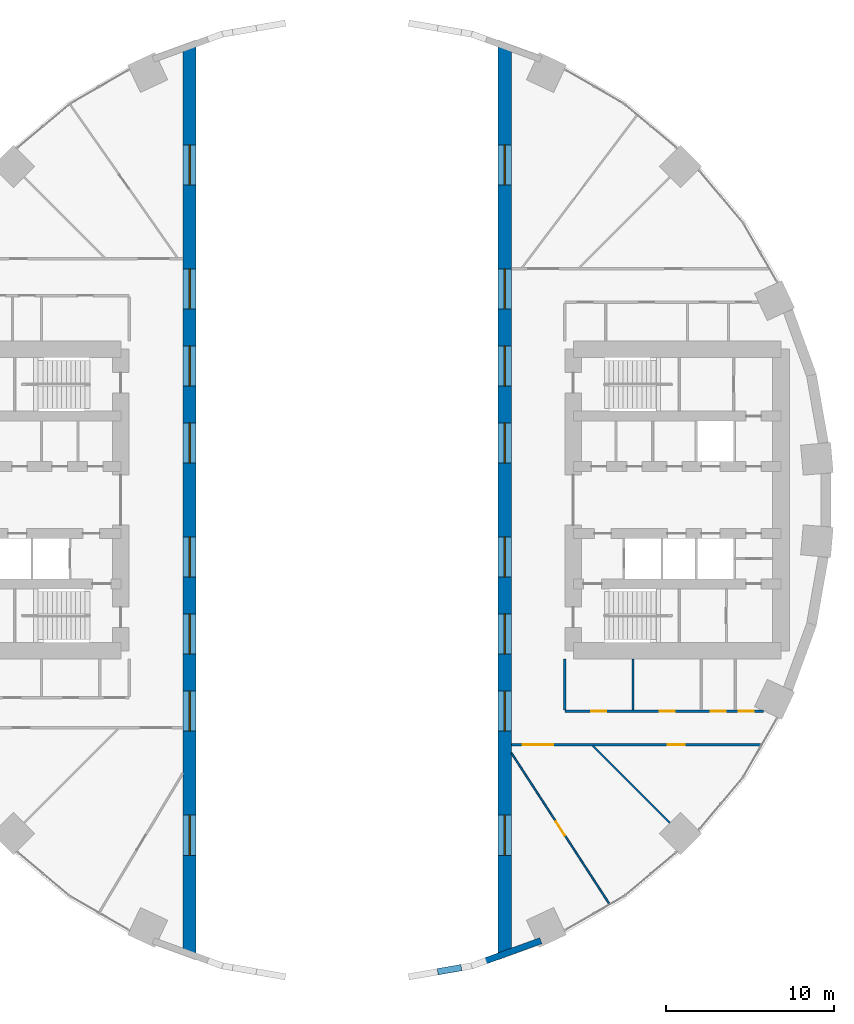
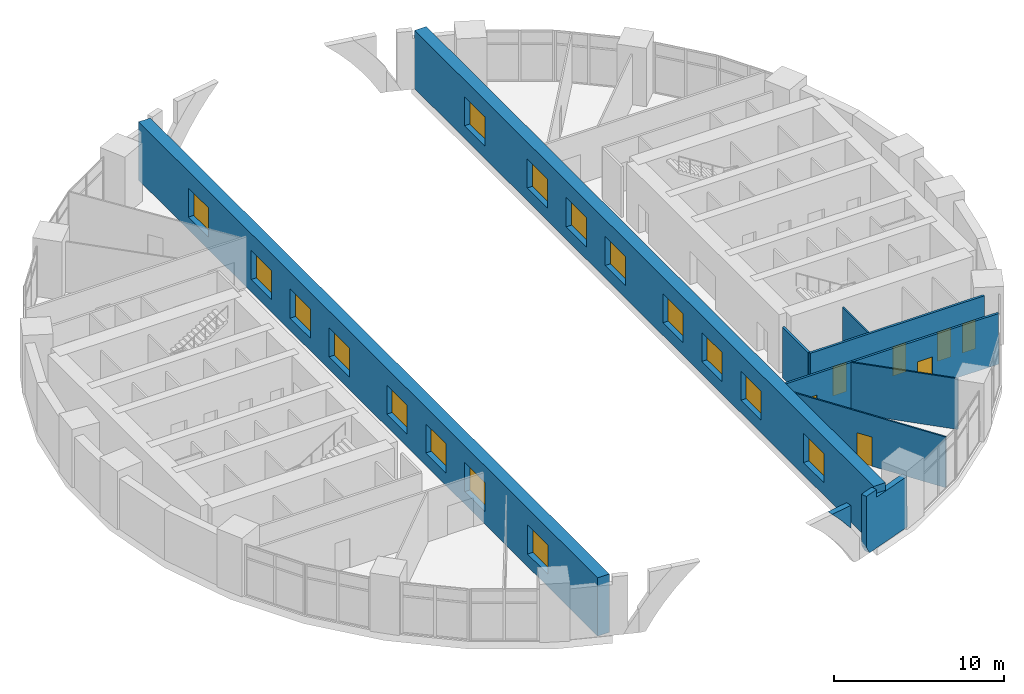
# One storey, part 9 of 13: 16 windows, 10 walls, 7 doors, 23 openings.
"""IFC4 building model written with IfcOpenShell, lengths in metres."""

from ifc_helpers import new_model, si_unit, direction, frame, frame_2d, origin, place, context, subcontext, project, spatial, polyline, rectangle, outline, extrude, material, layer, layer_set, type_object, element, fill, save


model = new_model("IFC4")

# Units and contexts
model_context = context("Model", 3, precision=1e-05, world=origin(), true_north=direction((0.0, 1.0)))
body_context = subcontext(model_context, "Body", "Model", "MODEL_VIEW")
ifc_project = project(units=[si_unit("LENGTHUNIT", "METRE"), si_unit("AREAUNIT", "SQUARE_METRE"), si_unit("VOLUMEUNIT", "CUBIC_METRE"), si_unit("PLANEANGLEUNIT", "RADIAN"), si_unit("MASSUNIT", "GRAM", prefix="KILO")], contexts=[model_context])

# Site, building, storey
site_placement = place(None, origin())
site = spatial("IfcSite", under=ifc_project, at=site_placement, CompositionType="ELEMENT")
building_placement = place(site_placement, origin())
building = spatial("IfcBuilding", under=site, at=building_placement, Name="Saqina Gate Tower", CompositionType="ELEMENT")
storey_placement = place(building_placement, frame((0.0, 0.0, 13.39990234375)))
storey = spatial("IfcBuildingStorey", under=building, at=storey_placement, Name="L03", CompositionType="ELEMENT", Elevation=13.39990234375)

# Walls
ifc_material_1 = material(Name="Glazed ceramic tile", Category="ceramic")
ifc_layer_1 = layer(ifc_material_1, 0.3798828125)
ifc_layer_set_1 = layer_set([ifc_layer_1], Name="FW-ARCH")
wall_type_1 = type_object("IfcWallType", Name="FW-ARCH", PredefinedType="SOLIDWALL", material=ifc_layer_set_1)
wall_1_placement = place(storey_placement, frame((6.854736328125, -28.0908203125, 4.2001953125), z_axis=(0.173576941619, -0.984818077273, 0.002097621194), x_axis=(0.000415212792, -0.002056770948, -0.999997798643)))
element("IfcWall", 1, at=wall_1_placement, inside=storey, type_object=wall_type_1, Name="Arch frame wall L03 facet 28", PredefinedType="SOLIDWALL", context=body_context, shape_type="SweptSolid", body=[
    extrude(outline(polyline([(0.0, 0.0), (0.5500502293484046, 4.743384504624082e-20), (1.637454799980469, -0.00019739842247555665), (0.7272579521875524, -0.7450175946909595), (-7.413699407938026e-05, -1.4326541685067107), (0.0, 0.0)])), origin(), (0.0, 0.0, -1.0), 0.3798828125),
])
wall_2_placement = place(storey_placement, frame((11.63134765625, -26.481689453125, 0.0), z_axis=(0.342026905008, -0.939688050207, 0.001991117406), x_axis=(-0.93968991291, -0.342027583063, -3.2668e-08)))
element("IfcWall", 2, at=wall_2_placement, inside=storey, type_object=wall_type_1, Name="Arch frame wall L03 facet 29", PredefinedType="SOLIDWALL", context=body_context, shape_type="SweptSolid", body=[
    extrude(outline(polyline([(0.0, 0.0), (2.810119309704452, 2.168404344971009e-19), (3.4669067794928967, -8.51417831381103e-08), (3.7453027398539205, -0.5229503546293558), (3.7453633181678647, -3.65015388074659), (3.745258705369742, -4.200203611963998), (2.809887160479554, -4.200203889688386), (2.8100752761055734, -3.650153701678554), (-4.4033598879278454e-05, -3.650153701678554), (0.0, 0.0)])), origin(), (0.0, 0.0, -1.0), 0.3798828125),
])

# Wall, opening, door
ifc_material_2 = material(Name="Gypsum board on steel studs, 100 mm", Category="steel")
ifc_layer_2 = layer(ifc_material_2, 0.10009765625)
ifc_layer_set_2 = layer_set([ifc_layer_2], Name="SPECIAL PARTITION 100")
wall_type_2 = type_object("IfcWallType", Name="SPECIAL PARTITION 100", PredefinedType="PARTITIONING", material=ifc_layer_set_2)
wall_3_placement = place(storey_placement, frame((9.800048828125, -15.091064453125, 0.0), z_axis=(0.0, 0.0, 1.0), x_axis=(0.544662159115, -0.838655550526, 0.0)))
wall_3 = element("IfcWall", 3, at=wall_3_placement, inside=storey, type_object=wall_type_2, Name="PARTITION 001", PredefinedType="PARTITIONING", context=body_context, shape_type="SweptSolid", body=[
    extrude(rectangle(XDim=10.73486328125, YDim=0.10009765625, at=frame_2d((5.367431640625, 0.0))), origin(), (0.0, 0.0, 1.0), 3.650146484375),
])
opening_1_placement = place(wall_3_placement, frame((4.867431640625, 0.0, 0.0)))
opening_1 = element("IfcOpeningElement", 4, at=opening_1_placement, cuts=wall_3, Name="Opening L03-D22", PredefinedType="OPENING", context=body_context, shape_type="SweptSolid", body=[
    extrude(rectangle(XDim=1.0, YDim=2.10009765625, at=frame_2d((0.5, 1.050048828125))), frame((0.0, 0.06201171875, 0.0), z_axis=(0.0, -1.0, 0.0), x_axis=(1.0, 0.0, 0.0)), (0.0, 0.0, 1.0), 0.1240234375),
])
ifc_material_3 = material(Name="Timber door leaf", Category="wood")
door_type_1 = type_object("IfcDoorType", Name="SPECIAL DOOR 1000 TIMBER", OperationType="SINGLE_SWING_LEFT", PredefinedType="DOOR", material=ifc_material_3)
door_1_placement = place(opening_1_placement, origin())
door_1 = element("IfcDoor", 5, at=door_1_placement, inside=storey, type_object=door_type_1, Name="DOOR L03-D22", OperationType="SINGLE_SWING_LEFT", OverallHeight=2.10009765625, OverallWidth=1.0, PredefinedType="DOOR", context=body_context, shape_type="SweptSolid", body=[
    extrude(rectangle(XDim=1.0, YDim=2.10009765625, at=frame_2d((0.5, 1.050048828125))), frame((0.0, 0.02490234375, 0.0), z_axis=(0.0, -1.0, 0.0), x_axis=(1.0, 0.0, 0.0)), (0.0, 0.0, 1.0), 0.050048828125),
])
fill(opening_1, door_1)

# Walls
wall_4_placement = place(storey_placement, frame((14.653076171875, -14.653076171875, 0.0), z_axis=(0.0, 0.0, 1.0), x_axis=(0.707200424069, -0.707013125901, 0.0)))
element("IfcWall", 6, at=wall_4_placement, inside=storey, type_object=wall_type_2, Name="PARTITION 004", PredefinedType="PARTITIONING", context=body_context, shape_type="SweptSolid", body=[
    extrude(rectangle(XDim=6.517333984375, YDim=0.10009765625, at=frame_2d((3.2587890625, 0.0))), origin(), (0.0, 0.0, 1.0), 3.650146484375),
])
wall_5_placement = place(storey_placement, frame((17.06689453125, -12.52490234375, 0.0), z_axis=(0.0, 0.0, 1.0), x_axis=(0.0, 1.0, 0.0)))
element("IfcWall", 7, at=wall_5_placement, inside=storey, type_object=wall_type_2, Name="PARTITION 021", PredefinedType="PARTITIONING", context=body_context, shape_type="SweptSolid", body=[
    extrude(rectangle(XDim=3.02490234375, YDim=0.10009765625, at=frame_2d((1.512451171875, 0.0))), origin(), (0.0, 0.0, 1.0), 3.650146484375),
])

# Wall, openings, doors
ifc_material_4 = material(Name="Gypsum board on steel studs, 150 mm, fire rated", Category="steel")
ifc_layer_3 = layer(ifc_material_4, 0.14990234375)
ifc_layer_set_3 = layer_set([ifc_layer_3], Name="SPECIAL PARTITION EI 30 150")
wall_type_3 = type_object("IfcWallType", Name="SPECIAL PARTITION EI 30 150", PredefinedType="PARTITIONING", material=ifc_layer_set_3)
wall_6_placement = place(storey_placement, frame((9.800048828125, -14.60009765625, 0.0), z_axis=(0.0, 0.0, 1.0), x_axis=(1.0, 0.0, 0.0)))
wall_6 = element("IfcWall", 8, at=wall_6_placement, inside=storey, type_object=wall_type_3, Name="PARTITION 005", PredefinedType="PARTITIONING", context=body_context, shape_type="SweptSolid", body=[
    extrude(rectangle(XDim=14.89794921875, YDim=0.14990234375, at=frame_2d((7.448974609375, 0.0))), origin(), (0.0, 0.0, 1.0), 3.650146484375),
])
opening_2_placement = place(wall_6_placement, frame((0.699951171875, 0.0, 0.0)))
opening_2 = element("IfcOpeningElement", 9, at=opening_2_placement, cuts=wall_6, Name="Opening L03-D23", PredefinedType="OPENING", context=body_context, shape_type="SweptSolid", body=[
    extrude(rectangle(XDim=1.800048828125, YDim=2.10009765625, at=frame_2d((0.89990234375, 1.050048828125))), frame((0.0, 0.0869140625, 0.0), z_axis=(0.0, -1.0, 0.0), x_axis=(1.0, 0.0, 0.0)), (0.0, 0.0, 1.0), 0.173828125),
])
opening_3_placement = place(wall_6_placement, frame((9.35009765625, 0.0, 0.0)))
opening_3 = element("IfcOpeningElement", 10, at=opening_3_placement, cuts=wall_6, Name="Opening L03-D25", PredefinedType="OPENING", context=body_context, shape_type="SweptSolid", body=[
    extrude(rectangle(XDim=1.0, YDim=2.10009765625, at=frame_2d((0.5, 1.050048828125))), frame((0.0, 0.0869140625, 0.0), z_axis=(0.0, -1.0, 0.0), x_axis=(1.0, 0.0, 0.0)), (0.0, 0.0, 1.0), 0.173828125),
])
ifc_material_5 = material(Name="Steel-framed fire door leaf, EI 30", Category="steel")
door_type_2 = type_object("IfcDoorType", Name="SPECIAL DOOR 1000 FIRE EI 30", OperationType="SINGLE_SWING_LEFT", PredefinedType="DOOR", material=ifc_material_5)
door_2_placement = place(opening_3_placement, frame((1.0, 0.0, 0.0), z_axis=(0.0, 0.0, 1.0), x_axis=(-1.0, 0.0, 0.0)))
door_2 = element("IfcDoor", 11, at=door_2_placement, inside=storey, type_object=door_type_2, Name="DOOR L03-D25", OperationType="SINGLE_SWING_LEFT", OverallHeight=2.10009765625, OverallWidth=1.0, PredefinedType="DOOR", context=body_context, shape_type="SweptSolid", body=[
    extrude(rectangle(XDim=1.0, YDim=2.10009765625, at=frame_2d((0.5, 1.050048828125))), frame((0.0, 0.02490234375, 0.0), z_axis=(0.0, -1.0, 0.0), x_axis=(1.0, 0.0, 0.0)), (0.0, 0.0, 1.0), 0.050048828125),
])
fill(opening_3, door_2)
ifc_material_6 = material(Name="Steel-framed fire door leaf, EI 30", Category="steel")
door_type_3 = type_object("IfcDoorType", Name="SPECIAL DOUBLE DOOR 1800 FIRE EI 30", OperationType="DOUBLE_DOOR_SINGLE_SWING", PredefinedType="DOOR", material=ifc_material_6)
door_3_placement = place(opening_2_placement, origin())
door_3 = element("IfcDoor", 12, at=door_3_placement, inside=storey, type_object=door_type_3, Name="DOOR L03-D23", OperationType="DOUBLE_DOOR_SINGLE_SWING", OverallHeight=2.10009765625, OverallWidth=1.800048828125, PredefinedType="DOOR", context=body_context, shape_type="SweptSolid", body=[
    extrude(rectangle(XDim=1.800048828125, YDim=2.10009765625, at=frame_2d((0.89990234375, 1.050048828125))), frame((0.0, 0.02490234375, 0.0), z_axis=(0.0, -1.0, 0.0), x_axis=(1.0, 0.0, 0.0)), (0.0, 0.0, 1.0), 0.050048828125),
])
fill(opening_2, door_3)

wall_7_placement = place(storey_placement, frame((13.0, -12.60009765625, 0.0), z_axis=(0.0, 0.0, 1.0), x_axis=(1.0, 0.0, 0.0)))
wall_7 = element("IfcWall", 13, at=wall_7_placement, inside=storey, type_object=wall_type_3, Name="PARTITION 007", PredefinedType="PARTITIONING", context=body_context, shape_type="SweptSolid", body=[
    extrude(rectangle(XDim=11.867431640625, YDim=0.14990234375, at=frame_2d((5.93359375, 0.0))), origin(), (0.0, 0.0, 1.0), 3.650146484375),
])
opening_4_placement = place(wall_7_placement, frame((1.58349609375, 0.0, 0.0)))
opening_4 = element("IfcOpeningElement", 14, at=opening_4_placement, cuts=wall_7, Name="Opening L03-D24", PredefinedType="OPENING", context=body_context, shape_type="SweptSolid", body=[
    extrude(rectangle(XDim=0.89990234375, YDim=2.10009765625, at=frame_2d((0.449951171875, 1.050048828125))), frame((0.0, 0.0869140625, 0.0), z_axis=(0.0, -1.0, 0.0), x_axis=(1.0, 0.0, 0.0)), (0.0, 0.0, 1.0), 0.173828125),
])
opening_5_placement = place(wall_7_placement, frame((5.64990234375, 0.0, 0.0)))
opening_5 = element("IfcOpeningElement", 15, at=opening_5_placement, cuts=wall_7, Name="Opening L03-D26", PredefinedType="OPENING", context=body_context, shape_type="SweptSolid", body=[
    extrude(rectangle(XDim=0.89990234375, YDim=2.10009765625, at=frame_2d((0.449951171875, 1.050048828125))), frame((0.0, 0.0869140625, 0.0), z_axis=(0.0, -1.0, 0.0), x_axis=(1.0, 0.0, 0.0)), (0.0, 0.0, 1.0), 0.173828125),
])
opening_6_placement = place(wall_7_placement, frame((8.699951171875, 0.0, 0.0)))
opening_6 = element("IfcOpeningElement", 16, at=opening_6_placement, cuts=wall_7, Name="Opening L03-D27", PredefinedType="OPENING", context=body_context, shape_type="SweptSolid", body=[
    extrude(rectangle(XDim=0.89990234375, YDim=2.10009765625, at=frame_2d((0.449951171875, 1.050048828125))), frame((0.0, 0.0869140625, 0.0), z_axis=(0.0, -1.0, 0.0), x_axis=(1.0, 0.0, 0.0)), (0.0, 0.0, 1.0), 0.173828125),
])
opening_7_placement = place(wall_7_placement, frame((10.37939453125, 0.0, 0.0)))
opening_7 = element("IfcOpeningElement", 17, at=opening_7_placement, cuts=wall_7, Name="Opening L03-D28", PredefinedType="OPENING", context=body_context, shape_type="SweptSolid", body=[
    extrude(rectangle(XDim=0.89990234375, YDim=2.10009765625, at=frame_2d((0.449951171875, 1.050048828125))), frame((0.0, 0.0869140625, 0.0), z_axis=(0.0, -1.0, 0.0), x_axis=(1.0, 0.0, 0.0)), (0.0, 0.0, 1.0), 0.173828125),
])
ifc_material_7 = material(Name="Steel-framed fire door leaf, EI 30", Category="steel")
door_type_4 = type_object("IfcDoorType", Name="SPECIAL DOOR 900 FIRE EI 30", OperationType="SINGLE_SWING_LEFT", PredefinedType="DOOR", material=ifc_material_7)
door_4_placement = place(opening_4_placement, origin())
door_4 = element("IfcDoor", 18, at=door_4_placement, inside=storey, type_object=door_type_4, Name="DOOR L03-D24", OperationType="SINGLE_SWING_LEFT", OverallHeight=2.10009765625, OverallWidth=0.89990234375, PredefinedType="DOOR", context=body_context, shape_type="SweptSolid", body=[
    extrude(rectangle(XDim=0.89990234375, YDim=2.10009765625, at=frame_2d((0.449951171875, 1.050048828125))), frame((0.0, 0.02490234375, 0.0), z_axis=(0.0, -1.0, 0.0), x_axis=(1.0, 0.0, 0.0)), (0.0, 0.0, 1.0), 0.050048828125),
])
fill(opening_4, door_4)
door_5_placement = place(opening_5_placement, origin())
door_5 = element("IfcDoor", 19, at=door_5_placement, inside=storey, type_object=door_type_4, Name="DOOR L03-D26", OperationType="SINGLE_SWING_RIGHT", OverallHeight=2.10009765625, OverallWidth=0.89990234375, PredefinedType="DOOR", context=body_context, shape_type="SweptSolid", body=[
    extrude(rectangle(XDim=0.89990234375, YDim=2.10009765625, at=frame_2d((0.449951171875, 1.050048828125))), frame((0.0, 0.02490234375, 0.0), z_axis=(0.0, -1.0, 0.0), x_axis=(1.0, 0.0, 0.0)), (0.0, 0.0, 1.0), 0.050048828125),
])
fill(opening_5, door_5)
door_6_placement = place(opening_6_placement, origin())
door_6 = element("IfcDoor", 20, at=door_6_placement, inside=storey, type_object=door_type_4, Name="DOOR L03-D27", OperationType="SINGLE_SWING_RIGHT", OverallHeight=2.10009765625, OverallWidth=0.89990234375, PredefinedType="DOOR", context=body_context, shape_type="SweptSolid", body=[
    extrude(rectangle(XDim=0.89990234375, YDim=2.10009765625, at=frame_2d((0.449951171875, 1.050048828125))), frame((0.0, 0.02490234375, 0.0), z_axis=(0.0, -1.0, 0.0), x_axis=(1.0, 0.0, 0.0)), (0.0, 0.0, 1.0), 0.050048828125),
])
fill(opening_6, door_6)
door_7_placement = place(opening_7_placement, origin())
door_7 = element("IfcDoor", 21, at=door_7_placement, inside=storey, type_object=door_type_4, Name="DOOR L03-D28", OperationType="SINGLE_SWING_LEFT", OverallHeight=2.10009765625, OverallWidth=0.89990234375, PredefinedType="DOOR", context=body_context, shape_type="SweptSolid", body=[
    extrude(rectangle(XDim=0.89990234375, YDim=2.10009765625, at=frame_2d((0.449951171875, 1.050048828125))), frame((0.0, 0.02490234375, 0.0), z_axis=(0.0, -1.0, 0.0), x_axis=(1.0, 0.0, 0.0)), (0.0, 0.0, 1.0), 0.050048828125),
])
fill(opening_7, door_7)

# Wall
wall_8_placement = place(storey_placement, frame((13.0, -12.52490234375, 0.0), z_axis=(0.0, 0.0, 1.0), x_axis=(0.0, 1.0, 0.0)))
element("IfcWall", 22, at=wall_8_placement, inside=storey, type_object=wall_type_3, Name="PARTITION 023", PredefinedType="PARTITIONING", context=body_context, shape_type="SweptSolid", body=[
    extrude(rectangle(XDim=3.02490234375, YDim=0.14990234375, at=frame_2d((1.512451171875, 0.0))), origin(), (0.0, 0.0, 1.0), 3.650146484375),
])

# Wall, openings, windows
ifc_material_8 = material(Name="Concrete C70/85", Category="concrete")
ifc_layer_4 = layer(ifc_material_8, 0.800048828125)
ifc_layer_set_4 = layer_set([ifc_layer_4], Name="Concrete C70/85")
wall_type_4 = type_object("IfcWallType", Name="STR-PIER-PASSAGE", PredefinedType="SHEAR", material=ifc_layer_set_4)
wall_9_placement = place(storey_placement, frame((9.39990234375, -27.076904296875, 0.0), z_axis=(0.0, 0.0, 1.0), x_axis=(0.0, 1.0, 0.0)))
wall_9 = element("IfcWall", 23, at=wall_9_placement, inside=storey, type_object=wall_type_4, Name="L03-FLKE", PredefinedType="SHEAR", context=body_context, shape_type="SweptSolid", body=[
    extrude(rectangle(XDim=54.15380859375, YDim=0.800048828125, at=frame_2d((27.076904296875, 0.0))), origin(), (0.0, 0.0, 1.0), 4.2001953125),
])
opening_8_placement = place(wall_9_placement, frame((13.27685546875, 0.0, 0.89990234375)))
opening_8 = element("IfcOpeningElement", 24, at=opening_8_placement, cuts=wall_9, Name="Opening L03-W50", PredefinedType="OPENING", context=body_context, shape_type="SweptSolid", body=[
    extrude(rectangle(XDim=2.39990234375, YDim=2.10009765625, at=frame_2d((1.199951171875, 1.050048828125))), frame((0.0, 0.412109375, 0.0), z_axis=(0.0, -1.0, 0.0), x_axis=(1.0, 0.0, 0.0)), (0.0, 0.0, 1.0), 0.823974609375),
])
opening_9_placement = place(wall_9_placement, frame((17.876708984375, 0.0, 0.89990234375)))
opening_9 = element("IfcOpeningElement", 25, at=opening_9_placement, cuts=wall_9, Name="Opening L03-W51", PredefinedType="OPENING", context=body_context, shape_type="SweptSolid", body=[
    extrude(rectangle(XDim=2.39990234375, YDim=2.10009765625, at=frame_2d((1.199951171875, 1.050048828125))), frame((0.0, 0.412109375, 0.0), z_axis=(0.0, -1.0, 0.0), x_axis=(1.0, 0.0, 0.0)), (0.0, 0.0, 1.0), 0.823974609375),
])
opening_10_placement = place(wall_9_placement, frame((22.476806640625, 0.0, 0.89990234375)))
opening_10 = element("IfcOpeningElement", 26, at=opening_10_placement, cuts=wall_9, Name="Opening L03-W52", PredefinedType="OPENING", context=body_context, shape_type="SweptSolid", body=[
    extrude(rectangle(XDim=2.39990234375, YDim=2.10009765625, at=frame_2d((1.199951171875, 1.050048828125))), frame((0.0, 0.412109375, 0.0), z_axis=(0.0, -1.0, 0.0), x_axis=(1.0, 0.0, 0.0)), (0.0, 0.0, 1.0), 0.823974609375),
])
opening_11_placement = place(wall_9_placement, frame((29.27685546875, 0.0, 0.89990234375)))
opening_11 = element("IfcOpeningElement", 27, at=opening_11_placement, cuts=wall_9, Name="Opening L03-W53", PredefinedType="OPENING", context=body_context, shape_type="SweptSolid", body=[
    extrude(rectangle(XDim=2.39990234375, YDim=2.10009765625, at=frame_2d((1.199951171875, 1.050048828125))), frame((0.0, 0.412109375, 0.0), z_axis=(0.0, -1.0, 0.0), x_axis=(1.0, 0.0, 0.0)), (0.0, 0.0, 1.0), 0.823974609375),
])
opening_12_placement = place(wall_9_placement, frame((33.876708984375, 0.0, 0.89990234375)))
opening_12 = element("IfcOpeningElement", 28, at=opening_12_placement, cuts=wall_9, Name="Opening L03-W54", PredefinedType="OPENING", context=body_context, shape_type="SweptSolid", body=[
    extrude(rectangle(XDim=2.39990234375, YDim=2.10009765625, at=frame_2d((1.199951171875, 1.050048828125))), frame((0.0, 0.412109375, 0.0), z_axis=(0.0, -1.0, 0.0), x_axis=(1.0, 0.0, 0.0)), (0.0, 0.0, 1.0), 0.823974609375),
])
opening_13_placement = place(wall_9_placement, frame((38.476806640625, 0.0, 0.89990234375)))
opening_13 = element("IfcOpeningElement", 29, at=opening_13_placement, cuts=wall_9, Name="Opening L03-W55", PredefinedType="OPENING", context=body_context, shape_type="SweptSolid", body=[
    extrude(rectangle(XDim=2.39990234375, YDim=2.10009765625, at=frame_2d((1.199951171875, 1.050048828125))), frame((0.0, 0.412109375, 0.0), z_axis=(0.0, -1.0, 0.0), x_axis=(1.0, 0.0, 0.0)), (0.0, 0.0, 1.0), 0.823974609375),
])
opening_14_placement = place(wall_9_placement, frame((5.876708984375, 0.0, 0.89990234375)))
opening_14 = element("IfcOpeningElement", 30, at=opening_14_placement, cuts=wall_9, Name="Opening L03-W56", PredefinedType="OPENING", context=body_context, shape_type="SweptSolid", body=[
    extrude(rectangle(XDim=2.39990234375, YDim=2.10009765625, at=frame_2d((1.199951171875, 1.050048828125))), frame((0.0, 0.412109375, 0.0), z_axis=(0.0, -1.0, 0.0), x_axis=(1.0, 0.0, 0.0)), (0.0, 0.0, 1.0), 0.823974609375),
])
opening_15_placement = place(wall_9_placement, frame((45.876708984375, 0.0, 0.89990234375)))
opening_15 = element("IfcOpeningElement", 31, at=opening_15_placement, cuts=wall_9, Name="Opening L03-W57", PredefinedType="OPENING", context=body_context, shape_type="SweptSolid", body=[
    extrude(rectangle(XDim=2.39990234375, YDim=2.10009765625, at=frame_2d((1.199951171875, 1.050048828125))), frame((0.0, 0.412109375, 0.0), z_axis=(0.0, -1.0, 0.0), x_axis=(1.0, 0.0, 0.0)), (0.0, 0.0, 1.0), 0.823974609375),
])
ifc_material_9 = material(Name="Double glazed unit in aluminium frame", Category="aluminium")
window_type = type_object("IfcWindowType", Name="AMENITY WINDOW 2400", PartitioningType="SINGLE_PANEL", PredefinedType="WINDOW", material=ifc_material_9)
window_1_placement = place(opening_8_placement, origin())
window_1 = element("IfcWindow", 32, at=window_1_placement, inside=storey, type_object=window_type, Name="Amenity window", OverallHeight=2.10009765625, OverallWidth=2.39990234375, PartitioningType="SINGLE_PANEL", PredefinedType="WINDOW", context=body_context, shape_type="SweptSolid", body=[
    extrude(rectangle(XDim=2.39990234375, YDim=2.10009765625, at=frame_2d((1.199951171875, 1.050048828125))), frame((0.0, 0.030029296875, 0.0), z_axis=(0.0, -1.0, 0.0), x_axis=(1.0, 0.0, 0.0)), (0.0, 0.0, 1.0), 0.06005859375),
])
fill(opening_8, window_1)
window_2_placement = place(opening_9_placement, origin())
window_2 = element("IfcWindow", 33, at=window_2_placement, inside=storey, type_object=window_type, Name="Amenity window", OverallHeight=2.10009765625, OverallWidth=2.39990234375, PartitioningType="SINGLE_PANEL", PredefinedType="WINDOW", context=body_context, shape_type="SweptSolid", body=[
    extrude(rectangle(XDim=2.39990234375, YDim=2.10009765625, at=frame_2d((1.199951171875, 1.050048828125))), frame((0.0, 0.030029296875, 0.0), z_axis=(0.0, -1.0, 0.0), x_axis=(1.0, 0.0, 0.0)), (0.0, 0.0, 1.0), 0.06005859375),
])
fill(opening_9, window_2)
window_3_placement = place(opening_10_placement, origin())
window_3 = element("IfcWindow", 34, at=window_3_placement, inside=storey, type_object=window_type, Name="Amenity window", OverallHeight=2.10009765625, OverallWidth=2.39990234375, PartitioningType="SINGLE_PANEL", PredefinedType="WINDOW", context=body_context, shape_type="SweptSolid", body=[
    extrude(rectangle(XDim=2.39990234375, YDim=2.10009765625, at=frame_2d((1.199951171875, 1.050048828125))), frame((0.0, 0.030029296875, 0.0), z_axis=(0.0, -1.0, 0.0), x_axis=(1.0, 0.0, 0.0)), (0.0, 0.0, 1.0), 0.06005859375),
])
fill(opening_10, window_3)
window_4_placement = place(opening_11_placement, origin())
window_4 = element("IfcWindow", 35, at=window_4_placement, inside=storey, type_object=window_type, Name="Amenity window", OverallHeight=2.10009765625, OverallWidth=2.39990234375, PartitioningType="SINGLE_PANEL", PredefinedType="WINDOW", context=body_context, shape_type="SweptSolid", body=[
    extrude(rectangle(XDim=2.39990234375, YDim=2.10009765625, at=frame_2d((1.199951171875, 1.050048828125))), frame((0.0, 0.030029296875, 0.0), z_axis=(0.0, -1.0, 0.0), x_axis=(1.0, 0.0, 0.0)), (0.0, 0.0, 1.0), 0.06005859375),
])
fill(opening_11, window_4)
window_5_placement = place(opening_12_placement, origin())
window_5 = element("IfcWindow", 36, at=window_5_placement, inside=storey, type_object=window_type, Name="Amenity window", OverallHeight=2.10009765625, OverallWidth=2.39990234375, PartitioningType="SINGLE_PANEL", PredefinedType="WINDOW", context=body_context, shape_type="SweptSolid", body=[
    extrude(rectangle(XDim=2.39990234375, YDim=2.10009765625, at=frame_2d((1.199951171875, 1.050048828125))), frame((0.0, 0.030029296875, 0.0), z_axis=(0.0, -1.0, 0.0), x_axis=(1.0, 0.0, 0.0)), (0.0, 0.0, 1.0), 0.06005859375),
])
fill(opening_12, window_5)
window_6_placement = place(opening_13_placement, origin())
window_6 = element("IfcWindow", 37, at=window_6_placement, inside=storey, type_object=window_type, Name="Amenity window", OverallHeight=2.10009765625, OverallWidth=2.39990234375, PartitioningType="SINGLE_PANEL", PredefinedType="WINDOW", context=body_context, shape_type="SweptSolid", body=[
    extrude(rectangle(XDim=2.39990234375, YDim=2.10009765625, at=frame_2d((1.199951171875, 1.050048828125))), frame((0.0, 0.030029296875, 0.0), z_axis=(0.0, -1.0, 0.0), x_axis=(1.0, 0.0, 0.0)), (0.0, 0.0, 1.0), 0.06005859375),
])
fill(opening_13, window_6)
window_7_placement = place(opening_14_placement, origin())
window_7 = element("IfcWindow", 38, at=window_7_placement, inside=storey, type_object=window_type, Name="Amenity window", OverallHeight=2.10009765625, OverallWidth=2.39990234375, PartitioningType="SINGLE_PANEL", PredefinedType="WINDOW", context=body_context, shape_type="SweptSolid", body=[
    extrude(rectangle(XDim=2.39990234375, YDim=2.10009765625, at=frame_2d((1.199951171875, 1.050048828125))), frame((0.0, 0.030029296875, 0.0), z_axis=(0.0, -1.0, 0.0), x_axis=(1.0, 0.0, 0.0)), (0.0, 0.0, 1.0), 0.06005859375),
])
fill(opening_14, window_7)
window_8_placement = place(opening_15_placement, origin())
window_8 = element("IfcWindow", 39, at=window_8_placement, inside=storey, type_object=window_type, Name="Amenity window", OverallHeight=2.10009765625, OverallWidth=2.39990234375, PartitioningType="SINGLE_PANEL", PredefinedType="WINDOW", context=body_context, shape_type="SweptSolid", body=[
    extrude(rectangle(XDim=2.39990234375, YDim=2.10009765625, at=frame_2d((1.199951171875, 1.050048828125))), frame((0.0, 0.030029296875, 0.0), z_axis=(0.0, -1.0, 0.0), x_axis=(1.0, 0.0, 0.0)), (0.0, 0.0, 1.0), 0.06005859375),
])
fill(opening_15, window_8)

wall_10_placement = place(storey_placement, frame((-9.39990234375, -27.076904296875, 0.0), z_axis=(0.0, 0.0, 1.0), x_axis=(0.0, 1.0, 0.0)))
wall_10 = element("IfcWall", 40, at=wall_10_placement, inside=storey, type_object=wall_type_4, Name="L03-FLKW", PredefinedType="SHEAR", context=body_context, shape_type="SweptSolid", body=[
    extrude(rectangle(XDim=54.15380859375, YDim=0.800048828125, at=frame_2d((27.076904296875, 0.0))), origin(), (0.0, 0.0, 1.0), 4.2001953125),
])
opening_16_placement = place(wall_10_placement, frame((13.27685546875, 0.0, 0.89990234375)))
opening_16 = element("IfcOpeningElement", 41, at=opening_16_placement, cuts=wall_10, Name="Opening L03-W58", PredefinedType="OPENING", context=body_context, shape_type="SweptSolid", body=[
    extrude(rectangle(XDim=2.39990234375, YDim=2.10009765625, at=frame_2d((1.199951171875, 1.050048828125))), frame((0.0, 0.412109375, 0.0), z_axis=(0.0, -1.0, 0.0), x_axis=(1.0, 0.0, 0.0)), (0.0, 0.0, 1.0), 0.823974609375),
])
opening_17_placement = place(wall_10_placement, frame((17.876708984375, 0.0, 0.89990234375)))
opening_17 = element("IfcOpeningElement", 42, at=opening_17_placement, cuts=wall_10, Name="Opening L03-W59", PredefinedType="OPENING", context=body_context, shape_type="SweptSolid", body=[
    extrude(rectangle(XDim=2.39990234375, YDim=2.10009765625, at=frame_2d((1.199951171875, 1.050048828125))), frame((0.0, 0.412109375, 0.0), z_axis=(0.0, -1.0, 0.0), x_axis=(1.0, 0.0, 0.0)), (0.0, 0.0, 1.0), 0.823974609375),
])
opening_18_placement = place(wall_10_placement, frame((22.476806640625, 0.0, 0.89990234375)))
opening_18 = element("IfcOpeningElement", 43, at=opening_18_placement, cuts=wall_10, Name="Opening L03-W60", PredefinedType="OPENING", context=body_context, shape_type="SweptSolid", body=[
    extrude(rectangle(XDim=2.39990234375, YDim=2.10009765625, at=frame_2d((1.199951171875, 1.050048828125))), frame((0.0, 0.412109375, 0.0), z_axis=(0.0, -1.0, 0.0), x_axis=(1.0, 0.0, 0.0)), (0.0, 0.0, 1.0), 0.823974609375),
])
opening_19_placement = place(wall_10_placement, frame((29.27685546875, 0.0, 0.89990234375)))
opening_19 = element("IfcOpeningElement", 44, at=opening_19_placement, cuts=wall_10, Name="Opening L03-W61", PredefinedType="OPENING", context=body_context, shape_type="SweptSolid", body=[
    extrude(rectangle(XDim=2.39990234375, YDim=2.10009765625, at=frame_2d((1.199951171875, 1.050048828125))), frame((0.0, 0.412109375, 0.0), z_axis=(0.0, -1.0, 0.0), x_axis=(1.0, 0.0, 0.0)), (0.0, 0.0, 1.0), 0.823974609375),
])
opening_20_placement = place(wall_10_placement, frame((33.876708984375, 0.0, 0.89990234375)))
opening_20 = element("IfcOpeningElement", 45, at=opening_20_placement, cuts=wall_10, Name="Opening L03-W62", PredefinedType="OPENING", context=body_context, shape_type="SweptSolid", body=[
    extrude(rectangle(XDim=2.39990234375, YDim=2.10009765625, at=frame_2d((1.199951171875, 1.050048828125))), frame((0.0, 0.412109375, 0.0), z_axis=(0.0, -1.0, 0.0), x_axis=(1.0, 0.0, 0.0)), (0.0, 0.0, 1.0), 0.823974609375),
])
opening_21_placement = place(wall_10_placement, frame((38.476806640625, 0.0, 0.89990234375)))
opening_21 = element("IfcOpeningElement", 46, at=opening_21_placement, cuts=wall_10, Name="Opening L03-W63", PredefinedType="OPENING", context=body_context, shape_type="SweptSolid", body=[
    extrude(rectangle(XDim=2.39990234375, YDim=2.10009765625, at=frame_2d((1.199951171875, 1.050048828125))), frame((0.0, 0.412109375, 0.0), z_axis=(0.0, -1.0, 0.0), x_axis=(1.0, 0.0, 0.0)), (0.0, 0.0, 1.0), 0.823974609375),
])
opening_22_placement = place(wall_10_placement, frame((5.876708984375, 0.0, 0.89990234375)))
opening_22 = element("IfcOpeningElement", 47, at=opening_22_placement, cuts=wall_10, Name="Opening L03-W64", PredefinedType="OPENING", context=body_context, shape_type="SweptSolid", body=[
    extrude(rectangle(XDim=2.39990234375, YDim=2.10009765625, at=frame_2d((1.199951171875, 1.050048828125))), frame((0.0, 0.412109375, 0.0), z_axis=(0.0, -1.0, 0.0), x_axis=(1.0, 0.0, 0.0)), (0.0, 0.0, 1.0), 0.823974609375),
])
opening_23_placement = place(wall_10_placement, frame((45.876708984375, 0.0, 0.89990234375)))
opening_23 = element("IfcOpeningElement", 48, at=opening_23_placement, cuts=wall_10, Name="Opening L03-W65", PredefinedType="OPENING", context=body_context, shape_type="SweptSolid", body=[
    extrude(rectangle(XDim=2.39990234375, YDim=2.10009765625, at=frame_2d((1.199951171875, 1.050048828125))), frame((0.0, 0.412109375, 0.0), z_axis=(0.0, -1.0, 0.0), x_axis=(1.0, 0.0, 0.0)), (0.0, 0.0, 1.0), 0.823974609375),
])
window_9_placement = place(opening_16_placement, origin())
window_9 = element("IfcWindow", 49, at=window_9_placement, inside=storey, type_object=window_type, Name="Amenity window", OverallHeight=2.10009765625, OverallWidth=2.39990234375, PartitioningType="SINGLE_PANEL", PredefinedType="WINDOW", context=body_context, shape_type="SweptSolid", body=[
    extrude(rectangle(XDim=2.39990234375, YDim=2.10009765625, at=frame_2d((1.199951171875, 1.050048828125))), frame((0.0, 0.030029296875, 0.0), z_axis=(0.0, -1.0, 0.0), x_axis=(1.0, 0.0, 0.0)), (0.0, 0.0, 1.0), 0.06005859375),
])
fill(opening_16, window_9)
window_10_placement = place(opening_17_placement, origin())
window_10 = element("IfcWindow", 50, at=window_10_placement, inside=storey, type_object=window_type, Name="Amenity window", OverallHeight=2.10009765625, OverallWidth=2.39990234375, PartitioningType="SINGLE_PANEL", PredefinedType="WINDOW", context=body_context, shape_type="SweptSolid", body=[
    extrude(rectangle(XDim=2.39990234375, YDim=2.10009765625, at=frame_2d((1.199951171875, 1.050048828125))), frame((0.0, 0.030029296875, 0.0), z_axis=(0.0, -1.0, 0.0), x_axis=(1.0, 0.0, 0.0)), (0.0, 0.0, 1.0), 0.06005859375),
])
fill(opening_17, window_10)
window_11_placement = place(opening_18_placement, origin())
window_11 = element("IfcWindow", 51, at=window_11_placement, inside=storey, type_object=window_type, Name="Amenity window", OverallHeight=2.10009765625, OverallWidth=2.39990234375, PartitioningType="SINGLE_PANEL", PredefinedType="WINDOW", context=body_context, shape_type="SweptSolid", body=[
    extrude(rectangle(XDim=2.39990234375, YDim=2.10009765625, at=frame_2d((1.199951171875, 1.050048828125))), frame((0.0, 0.030029296875, 0.0), z_axis=(0.0, -1.0, 0.0), x_axis=(1.0, 0.0, 0.0)), (0.0, 0.0, 1.0), 0.06005859375),
])
fill(opening_18, window_11)
window_12_placement = place(opening_19_placement, origin())
window_12 = element("IfcWindow", 52, at=window_12_placement, inside=storey, type_object=window_type, Name="Amenity window", OverallHeight=2.10009765625, OverallWidth=2.39990234375, PartitioningType="SINGLE_PANEL", PredefinedType="WINDOW", context=body_context, shape_type="SweptSolid", body=[
    extrude(rectangle(XDim=2.39990234375, YDim=2.10009765625, at=frame_2d((1.199951171875, 1.050048828125))), frame((0.0, 0.030029296875, 0.0), z_axis=(0.0, -1.0, 0.0), x_axis=(1.0, 0.0, 0.0)), (0.0, 0.0, 1.0), 0.06005859375),
])
fill(opening_19, window_12)
window_13_placement = place(opening_20_placement, origin())
window_13 = element("IfcWindow", 53, at=window_13_placement, inside=storey, type_object=window_type, Name="Amenity window", OverallHeight=2.10009765625, OverallWidth=2.39990234375, PartitioningType="SINGLE_PANEL", PredefinedType="WINDOW", context=body_context, shape_type="SweptSolid", body=[
    extrude(rectangle(XDim=2.39990234375, YDim=2.10009765625, at=frame_2d((1.199951171875, 1.050048828125))), frame((0.0, 0.030029296875, 0.0), z_axis=(0.0, -1.0, 0.0), x_axis=(1.0, 0.0, 0.0)), (0.0, 0.0, 1.0), 0.06005859375),
])
fill(opening_20, window_13)
window_14_placement = place(opening_21_placement, origin())
window_14 = element("IfcWindow", 54, at=window_14_placement, inside=storey, type_object=window_type, Name="Amenity window", OverallHeight=2.10009765625, OverallWidth=2.39990234375, PartitioningType="SINGLE_PANEL", PredefinedType="WINDOW", context=body_context, shape_type="SweptSolid", body=[
    extrude(rectangle(XDim=2.39990234375, YDim=2.10009765625, at=frame_2d((1.199951171875, 1.050048828125))), frame((0.0, 0.030029296875, 0.0), z_axis=(0.0, -1.0, 0.0), x_axis=(1.0, 0.0, 0.0)), (0.0, 0.0, 1.0), 0.06005859375),
])
fill(opening_21, window_14)
window_15_placement = place(opening_22_placement, origin())
window_15 = element("IfcWindow", 55, at=window_15_placement, inside=storey, type_object=window_type, Name="Amenity window", OverallHeight=2.10009765625, OverallWidth=2.39990234375, PartitioningType="SINGLE_PANEL", PredefinedType="WINDOW", context=body_context, shape_type="SweptSolid", body=[
    extrude(rectangle(XDim=2.39990234375, YDim=2.10009765625, at=frame_2d((1.199951171875, 1.050048828125))), frame((0.0, 0.030029296875, 0.0), z_axis=(0.0, -1.0, 0.0), x_axis=(1.0, 0.0, 0.0)), (0.0, 0.0, 1.0), 0.06005859375),
])
fill(opening_22, window_15)
window_16_placement = place(opening_23_placement, origin())
window_16 = element("IfcWindow", 56, at=window_16_placement, inside=storey, type_object=window_type, Name="Amenity window", OverallHeight=2.10009765625, OverallWidth=2.39990234375, PartitioningType="SINGLE_PANEL", PredefinedType="WINDOW", context=body_context, shape_type="SweptSolid", body=[
    extrude(rectangle(XDim=2.39990234375, YDim=2.10009765625, at=frame_2d((1.199951171875, 1.050048828125))), frame((0.0, 0.030029296875, 0.0), z_axis=(0.0, -1.0, 0.0), x_axis=(1.0, 0.0, 0.0)), (0.0, 0.0, 1.0), 0.06005859375),
])
fill(opening_23, window_16)

save(model, "model.ifc")
